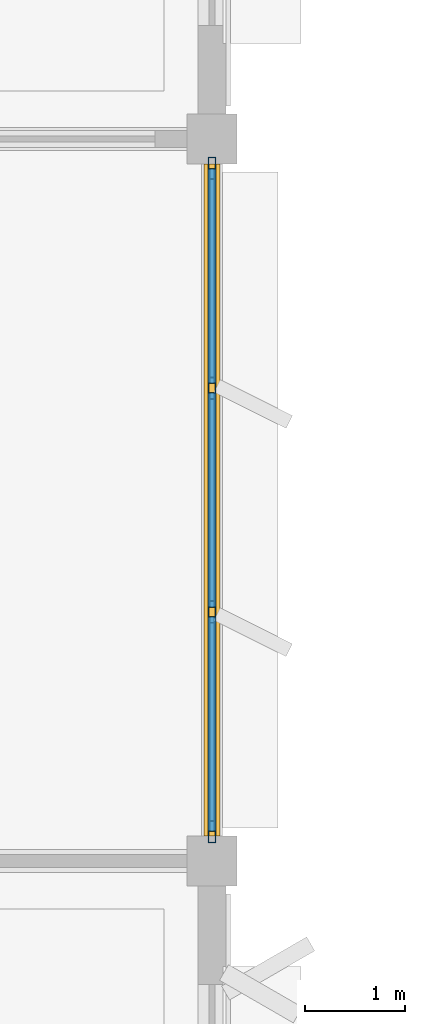
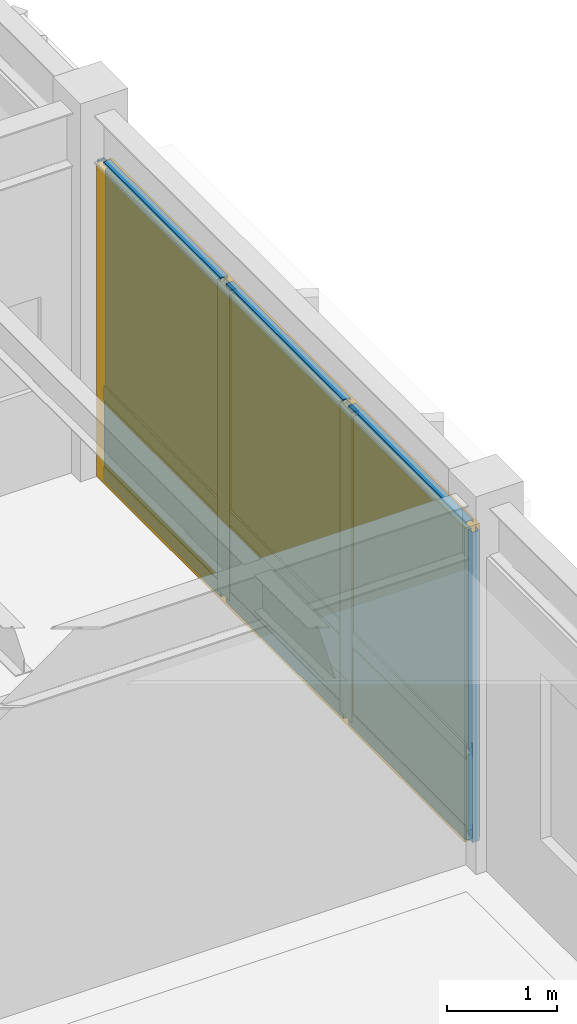
# One storey, part 65 of 85: 13 members, 6 plates, 1 curtain wall.
"""IFC4 building model written with IfcOpenShell, lengths in metres."""

from ifc_helpers import new_model, si_unit, direction, frame, origin, origin_2d, place, context, subcontext, project, spatial, rectangle, hollow_rectangle, extrude, material, layer, layer_set, material_profile, profile_set, type_object, element, aggregate, save


model = new_model("IFC4")

# Units and contexts
model_context = context("Model", 3, precision=1e-05, world=origin(), true_north=direction((0.0, 1.0)))
body_context = subcontext(model_context, "Body", "Model", "MODEL_VIEW")
ifc_project = project(units=[si_unit("LENGTHUNIT", "METRE"), si_unit("AREAUNIT", "SQUARE_METRE"), si_unit("VOLUMEUNIT", "CUBIC_METRE"), si_unit("PLANEANGLEUNIT", "RADIAN"), si_unit("MASSUNIT", "GRAM", prefix="KILO")], contexts=[model_context])

# Member
ifc_material_1 = material(Name="Anodized Aluminium 6063-T6", Category="aluminium")
ifc_material_profile_1 = material_profile(ifc_material_1, hollow_rectangle(XDim=0.074951171875, YDim=0.219970703125, WallThickness=0.0048828125, at=origin_2d()), Name="ALU 75x220x5")
ifc_profile_set_1 = profile_set([ifc_material_profile_1], Name="Anodized Aluminium 6063-T6")
member_type_1 = type_object("IfcMemberType", Name="CWM-75X180", PredefinedType="MULLION", material=ifc_profile_set_1)
site_placement = place(None, origin())
building_placement = place(site_placement, origin())
storey_placement = place(building_placement, frame((0.0, 0.0, 9.89990234375)))
member_1_placement = place(storey_placement, frame((108.0, 107.7099609375, 0.02001953125), z_axis=(0.0, 0.0, 1.0), x_axis=(1.0, 0.0, 0.0)))
member_1 = element("IfcMember", 1, at=member_1_placement, type_object=member_type_1, Name="Curtain wall mullion CW-L03-14-14-E-00", PredefinedType="MULLION", context=body_context, shape_type="SweptSolid", body=[
    extrude(hollow_rectangle(XDim=0.074951171875, YDim=0.219970703125, WallThickness=0.0048828125, at=origin_2d()), origin(), (0.0, 0.0, 1.0), 3.447021484375),
])

member_2_placement = place(storey_placement, frame((108.0, 105.5166015625, 0.02001953125), z_axis=(0.0, 0.0, 1.0), x_axis=(1.0, 0.0, 0.0)))
member_2 = element("IfcMember", 2, at=member_2_placement, type_object=member_type_1, Name="Curtain wall mullion CW-L03-14-14-E-01", PredefinedType="MULLION", context=body_context, shape_type="SweptSolid", body=[
    extrude(hollow_rectangle(XDim=0.074951171875, YDim=0.219970703125, WallThickness=0.0048828125, at=origin_2d()), origin(), (0.0, 0.0, 1.0), 3.447021484375),
])

member_3_placement = place(storey_placement, frame((108.0, 103.283203125, 0.02001953125), z_axis=(0.0, 0.0, 1.0), x_axis=(1.0, 0.0, 0.0)))
member_3 = element("IfcMember", 3, at=member_3_placement, type_object=member_type_1, Name="Curtain wall mullion CW-L03-14-14-E-02", PredefinedType="MULLION", context=body_context, shape_type="SweptSolid", body=[
    extrude(hollow_rectangle(XDim=0.074951171875, YDim=0.219970703125, WallThickness=0.0048828125, at=origin_2d()), origin(), (0.0, 0.0, 1.0), 3.447021484375),
])

member_4_placement = place(storey_placement, frame((108.0, 101.090087890625, 0.02001953125), z_axis=(0.0, 0.0, 1.0), x_axis=(1.0, 0.0, 0.0)))
member_4 = element("IfcMember", 4, at=member_4_placement, type_object=member_type_1, Name="Curtain wall mullion CW-L03-14-14-E-03", PredefinedType="MULLION", context=body_context, shape_type="SweptSolid", body=[
    extrude(hollow_rectangle(XDim=0.074951171875, YDim=0.219970703125, WallThickness=0.0048828125, at=origin_2d()), origin(), (0.0, 0.0, 1.0), 3.447021484375),
])

ifc_material_profile_2 = material_profile(ifc_material_1, hollow_rectangle(XDim=0.074951171875, YDim=0.159912109375, WallThickness=0.00390625, at=origin_2d()), Name="ALU 75x160x4")
ifc_profile_set_2 = profile_set([ifc_material_profile_2], Name="Anodized Aluminium 6063-T6")
member_type_2 = type_object("IfcMemberType", Name="CWT-75X150", PredefinedType="USERDEFINED", material=ifc_profile_set_2)
member_5_placement = place(storey_placement, frame((108.0, 107.699951171875, 0.050048828125), z_axis=(0.0, -1.0, 0.0), x_axis=(1.0, 0.0, 0.0)))
member_5 = element("IfcMember", 5, at=member_5_placement, type_object=member_type_2, Name="Curtain wall transom CW-L03-14-14-E-1.01", ObjectType="TRANSOM", PredefinedType="USERDEFINED", context=body_context, shape_type="SweptSolid", body=[
    extrude(hollow_rectangle(XDim=0.074951171875, YDim=0.159912109375, WallThickness=0.00390625, at=origin_2d()), origin(), (0.0, 0.0, 1.0), 2.13330078125),
])

member_6_placement = place(storey_placement, frame((108.0, 105.466796875, 0.050048828125), z_axis=(0.0, -1.0, 0.0), x_axis=(1.0, 0.0, 0.0)))
member_6 = element("IfcMember", 6, at=member_6_placement, type_object=member_type_2, Name="Curtain wall transom CW-L03-14-14-E-1.02", ObjectType="TRANSOM", PredefinedType="USERDEFINED", context=body_context, shape_type="SweptSolid", body=[
    extrude(hollow_rectangle(XDim=0.074951171875, YDim=0.159912109375, WallThickness=0.00390625, at=origin_2d()), origin(), (0.0, 0.0, 1.0), 2.133544921875),
])

member_7_placement = place(storey_placement, frame((108.0, 103.2333984375, 0.050048828125), z_axis=(0.0, -1.0, 0.0), x_axis=(1.0, 0.0, 0.0)))
member_7 = element("IfcMember", 7, at=member_7_placement, type_object=member_type_2, Name="Curtain wall transom CW-L03-14-14-E-1.03", ObjectType="TRANSOM", PredefinedType="USERDEFINED", context=body_context, shape_type="SweptSolid", body=[
    extrude(hollow_rectangle(XDim=0.074951171875, YDim=0.159912109375, WallThickness=0.00390625, at=origin_2d()), origin(), (0.0, 0.0, 1.0), 2.13330078125),
])

member_8_placement = place(storey_placement, frame((108.0, 107.699951171875, 0.9501953125), z_axis=(0.0, -1.0, 0.0), x_axis=(1.0, 0.0, 0.0)))
member_8 = element("IfcMember", 8, at=member_8_placement, type_object=member_type_2, Name="Curtain wall transom CW-L03-14-14-E-2.01", ObjectType="TRANSOM", PredefinedType="USERDEFINED", context=body_context, shape_type="SweptSolid", body=[
    extrude(hollow_rectangle(XDim=0.074951171875, YDim=0.159912109375, WallThickness=0.00390625, at=origin_2d()), origin(), (0.0, 0.0, 1.0), 2.13330078125),
])

member_9_placement = place(storey_placement, frame((108.0, 105.466796875, 0.9501953125), z_axis=(0.0, -1.0, 0.0), x_axis=(1.0, 0.0, 0.0)))
member_9 = element("IfcMember", 9, at=member_9_placement, type_object=member_type_2, Name="Curtain wall transom CW-L03-14-14-E-2.02", ObjectType="TRANSOM", PredefinedType="USERDEFINED", context=body_context, shape_type="SweptSolid", body=[
    extrude(hollow_rectangle(XDim=0.074951171875, YDim=0.159912109375, WallThickness=0.00390625, at=origin_2d()), origin(), (0.0, 0.0, 1.0), 2.133544921875),
])

member_10_placement = place(storey_placement, frame((108.0, 103.2333984375, 0.9501953125), z_axis=(0.0, -1.0, 0.0), x_axis=(1.0, 0.0, 0.0)))
member_10 = element("IfcMember", 10, at=member_10_placement, type_object=member_type_2, Name="Curtain wall transom CW-L03-14-14-E-2.03", ObjectType="TRANSOM", PredefinedType="USERDEFINED", context=body_context, shape_type="SweptSolid", body=[
    extrude(hollow_rectangle(XDim=0.074951171875, YDim=0.159912109375, WallThickness=0.00390625, at=origin_2d()), origin(), (0.0, 0.0, 1.0), 2.13330078125),
])

member_11_placement = place(storey_placement, frame((108.0, 107.699951171875, 3.43701171875), z_axis=(0.0, -1.0, 0.0), x_axis=(1.0, 0.0, 0.0)))
member_11 = element("IfcMember", 11, at=member_11_placement, type_object=member_type_2, Name="Curtain wall transom CW-L03-14-14-E-3.01", ObjectType="TRANSOM", PredefinedType="USERDEFINED", context=body_context, shape_type="SweptSolid", body=[
    extrude(hollow_rectangle(XDim=0.074951171875, YDim=0.159912109375, WallThickness=0.00390625, at=origin_2d()), origin(), (0.0, 0.0, 1.0), 2.13330078125),
])

member_12_placement = place(storey_placement, frame((108.0, 105.466796875, 3.43701171875), z_axis=(0.0, -1.0, 0.0), x_axis=(1.0, 0.0, 0.0)))
member_12 = element("IfcMember", 12, at=member_12_placement, type_object=member_type_2, Name="Curtain wall transom CW-L03-14-14-E-3.02", ObjectType="TRANSOM", PredefinedType="USERDEFINED", context=body_context, shape_type="SweptSolid", body=[
    extrude(hollow_rectangle(XDim=0.074951171875, YDim=0.159912109375, WallThickness=0.00390625, at=origin_2d()), origin(), (0.0, 0.0, 1.0), 2.133544921875),
])

member_13_placement = place(storey_placement, frame((108.0, 103.2333984375, 3.43701171875), z_axis=(0.0, -1.0, 0.0), x_axis=(1.0, 0.0, 0.0)))
member_13 = element("IfcMember", 13, at=member_13_placement, type_object=member_type_2, Name="Curtain wall transom CW-L03-14-14-E-3.03", ObjectType="TRANSOM", PredefinedType="USERDEFINED", context=body_context, shape_type="SweptSolid", body=[
    extrude(hollow_rectangle(XDim=0.074951171875, YDim=0.159912109375, WallThickness=0.00390625, at=origin_2d()), origin(), (0.0, 0.0, 1.0), 2.13330078125),
])

# Plate
ifc_material_2 = material(Name="Acoustic Laminated Low-E Glazing", Category="glass")
ifc_layer_1 = layer(ifc_material_2, 0.0439453125)
ifc_layer_set_1 = layer_set([ifc_layer_1], Name="Acoustic Laminated Low-E Glazing")
plate_type_1 = type_object("IfcPlateType", Name="CWP-IGU-44", PredefinedType="CURTAIN_PANEL", material=ifc_layer_set_1)
plate_1_placement = place(storey_placement, frame((108.0, 106.63330078125, 0.989990234375), z_axis=(0.0, 0.0, 1.0), x_axis=(0.0, -1.0, 0.0)))
plate_1 = element("IfcPlate", 14, at=plate_1_placement, type_object=plate_type_1, Name="Curtain wall vision glazing CW-L03-14-14-E-01", PredefinedType="CURTAIN_PANEL", context=body_context, shape_type="SweptSolid", body=[
    extrude(rectangle(XDim=2.143310546875, YDim=0.0400390625, at=origin_2d()), origin(), (0.0, 0.0, 1.0), 2.43701171875),
])

plate_2_placement = place(storey_placement, frame((108.0, 104.39990234375, 0.989990234375), z_axis=(0.0, 0.0, 1.0), x_axis=(0.0, -1.0, 0.0)))
plate_2 = element("IfcPlate", 15, at=plate_2_placement, type_object=plate_type_1, Name="Curtain wall vision glazing CW-L03-14-14-E-02", PredefinedType="CURTAIN_PANEL", context=body_context, shape_type="SweptSolid", body=[
    extrude(rectangle(XDim=2.143310546875, YDim=0.0400390625, at=origin_2d()), origin(), (0.0, 0.0, 1.0), 2.43701171875),
])

plate_3_placement = place(storey_placement, frame((108.0, 102.166748046875, 0.989990234375), z_axis=(0.0, 0.0, 1.0), x_axis=(0.0, -1.0, 0.0)))
plate_3 = element("IfcPlate", 16, at=plate_3_placement, type_object=plate_type_1, Name="Curtain wall vision glazing CW-L03-14-14-E-03", PredefinedType="CURTAIN_PANEL", context=body_context, shape_type="SweptSolid", body=[
    extrude(rectangle(XDim=2.143310546875, YDim=0.0400390625, at=origin_2d()), origin(), (0.0, 0.0, 1.0), 2.43701171875),
])

ifc_material_3 = material(Name="Insulated Stone-Composite Spandrel", Category="masonry")
ifc_layer_2 = layer(ifc_material_3, 0.068115234375)
ifc_layer_set_2 = layer_set([ifc_layer_2], Name="Insulated Stone-Composite Spandrel")
plate_type_2 = type_object("IfcPlateType", Name="CWP-SPN-68", PredefinedType="CURTAIN_PANEL", material=ifc_layer_set_2)
plate_4_placement = place(storey_placement, frame((108.0, 106.63330078125, 0.080078125), z_axis=(0.0, 0.0, 1.0), x_axis=(0.0, -1.0, 0.0)))
plate_4 = element("IfcPlate", 17, at=plate_4_placement, type_object=plate_type_2, Name="Curtain wall spandrel panel CW-L03-14-14-E-01", PredefinedType="CURTAIN_PANEL", context=body_context, shape_type="SweptSolid", body=[
    extrude(rectangle(XDim=2.143310546875, YDim=0.06005859375, at=origin_2d()), origin(), (0.0, 0.0, 1.0), 0.840087890625),
])

plate_5_placement = place(storey_placement, frame((108.0, 104.39990234375, 0.080078125), z_axis=(0.0, 0.0, 1.0), x_axis=(0.0, -1.0, 0.0)))
plate_5 = element("IfcPlate", 18, at=plate_5_placement, type_object=plate_type_2, Name="Curtain wall spandrel panel CW-L03-14-14-E-02", PredefinedType="CURTAIN_PANEL", context=body_context, shape_type="SweptSolid", body=[
    extrude(rectangle(XDim=2.143310546875, YDim=0.06005859375, at=origin_2d()), origin(), (0.0, 0.0, 1.0), 0.840087890625),
])

plate_6_placement = place(storey_placement, frame((108.0, 102.166748046875, 0.080078125), z_axis=(0.0, 0.0, 1.0), x_axis=(0.0, -1.0, 0.0)))
plate_6 = element("IfcPlate", 19, at=plate_6_placement, type_object=plate_type_2, Name="Curtain wall spandrel panel CW-L03-14-14-E-03", PredefinedType="CURTAIN_PANEL", context=body_context, shape_type="SweptSolid", body=[
    extrude(rectangle(XDim=2.143310546875, YDim=0.06005859375, at=origin_2d()), origin(), (0.0, 0.0, 1.0), 0.840087890625),
])

# Site, building, storey
site = spatial("IfcSite", under=ifc_project, at=site_placement, CompositionType="ELEMENT")
building = spatial("IfcBuilding", under=site, at=building_placement, Name="Sillqori Civic Hall", CompositionType="ELEMENT")
storey = spatial("IfcBuildingStorey", under=building, at=storey_placement, Name="L03", CompositionType="ELEMENT", Elevation=9.89990234375)

# Curtain wall
ifc_material_4 = material(Name="Anodized Aluminium Curtain Wall System", Category="aluminium")
curtain_wall_type = type_object("IfcCurtainWallType", Name="CW-GL-400", PredefinedType="NOTDEFINED", material=ifc_material_4)
curtain_wall_placement = place(storey_placement, frame((108.0, 104.39990234375, 0.0), z_axis=(0.0, 0.0, 1.0), x_axis=(0.0, -1.0, 0.0)))
curtain_wall = element("IfcCurtainWall", 20, at=curtain_wall_placement, inside=storey, type_object=curtain_wall_type, Name="L03 unitised curtain wall CW-L03-14-14-E", PredefinedType="NOTDEFINED", context=body_context, shape_type="SweptSolid", body=[
    extrude(rectangle(XDim=6.699951171875, YDim=0.159912109375, at=origin_2d()), origin(), (0.0, 0.0, 1.0), 3.487060546875),
])

aggregate(curtain_wall, [member_1, member_2, member_3, member_4, member_5, member_6, member_7, member_8, member_9, member_10, member_11, member_12, member_13, plate_4, plate_1, plate_5, plate_2, plate_6, plate_3])

save(model, "model.ifc")
